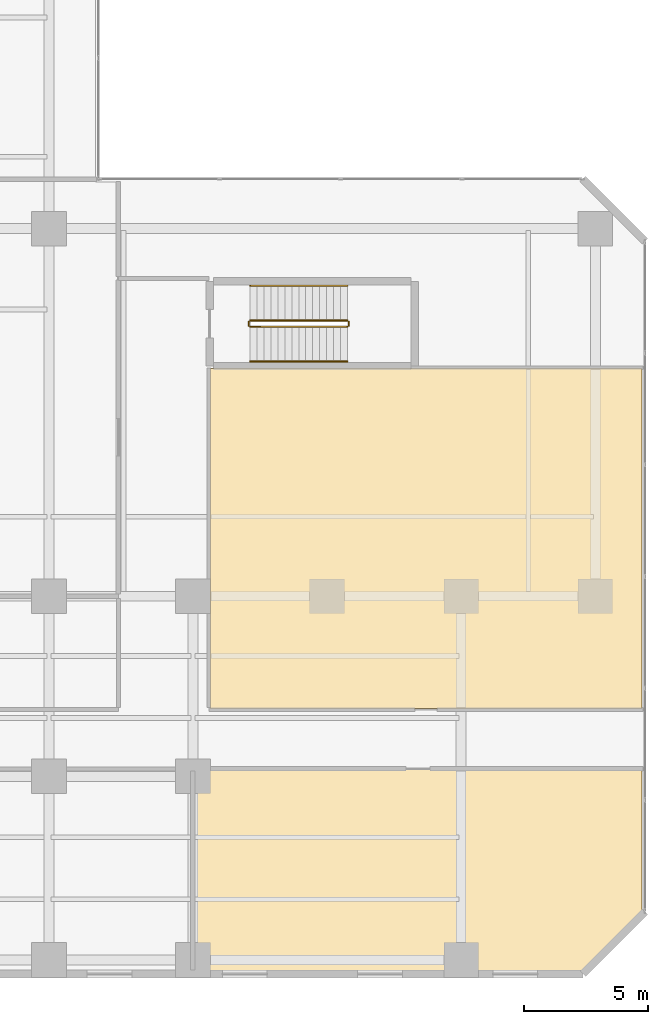
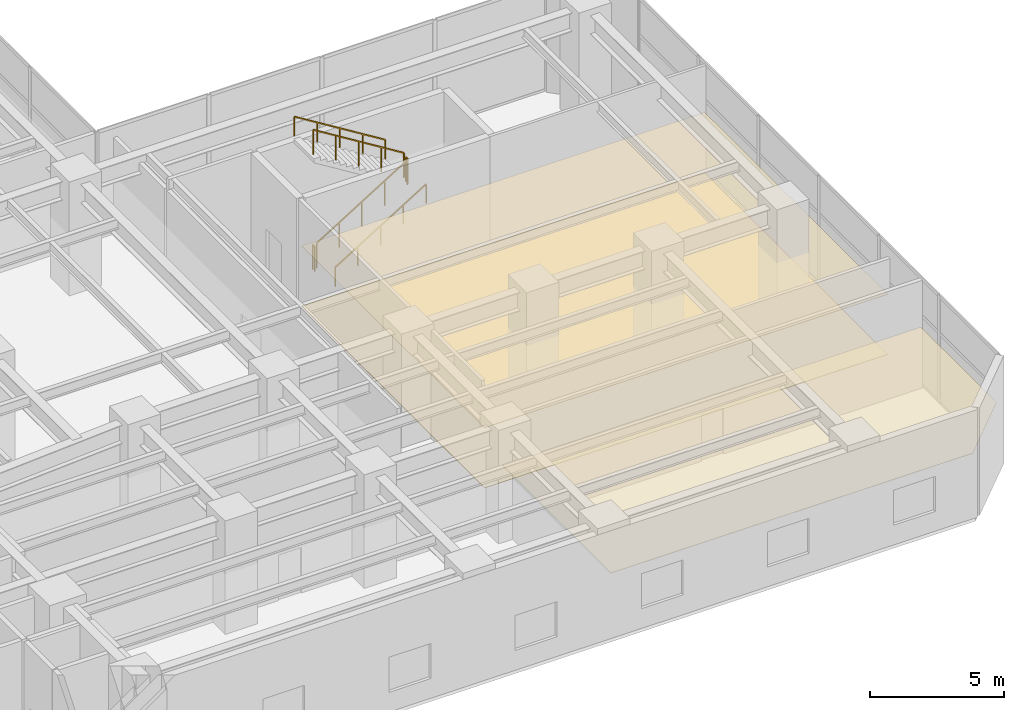
# One storey, part 20 of 22: 6 railings, 3 coverings.
"""IFC4 building model written with IfcOpenShell, lengths in metres."""

from ifc_helpers import new_model, si_unit, direction, frame, origin, origin_2d, place, context, subcontext, project, spatial, polyline, rectangle, outline, extrude, material, layer, layer_set, type_object, element, save


model = new_model("IFC4")

# Units and contexts
model_context = context("Model", 3, precision=1e-05, world=origin(), true_north=direction((0.0, 1.0)))
body_context = subcontext(model_context, "Body", "Model", "MODEL_VIEW")
ifc_project = project(units=[si_unit("LENGTHUNIT", "METRE"), si_unit("AREAUNIT", "SQUARE_METRE"), si_unit("VOLUMEUNIT", "CUBIC_METRE"), si_unit("PLANEANGLEUNIT", "RADIAN"), si_unit("MASSUNIT", "GRAM", prefix="KILO")], contexts=[model_context])

# Site, building, storey
site_placement = place(None, origin())
site = spatial("IfcSite", under=ifc_project, at=site_placement, CompositionType="ELEMENT")
building_placement = place(site_placement, origin())
building = spatial("IfcBuilding", under=site, at=building_placement, Name="Mawjaban Terraces University", CompositionType="ELEMENT")
storey_placement = place(building_placement, frame((0.0, 0.0, 10.39990234375)))
storey = spatial("IfcBuildingStorey", under=building, at=storey_placement, Name="L02", CompositionType="ELEMENT", Elevation=10.39990234375)

# Coverings
ifc_material_1 = material(Name="Acoustic mineral fibre ceiling tile", Category="masonry")
ifc_layer_1 = layer(ifc_material_1, 0.02001953125)
ifc_layer_set_1 = layer_set([ifc_layer_1], Name="Acoustic mineral fibre ceiling tile")
covering_type_1 = type_object("IfcCoveringType", Name="AcousticMineralCeiling_20", PredefinedType="CEILING", material=ifc_layer_set_1)
covering_1_placement = place(storey_placement, frame((0.0, 0.0, 2.75)))
element("IfcCovering", 1, at=covering_1_placement, inside=storey, type_object=covering_type_1, Name="L02 Podium Colloquium Hall Acoustic Ceiling", PredefinedType="CEILING", context=body_context, shape_type="SweptSolid", body=[
    extrude(outline(polyline([(75.885009765625, 10.679931640625), (75.885009765625, 24.3701171875), (58.47998046875, 24.3701171875), (58.47998046875, 10.679931640625), (75.885009765625, 10.679931640625)])), origin(), (0.0, 0.0, 1.0), 0.02001953125),
])
covering_2_placement = place(storey_placement, frame((0.0, 0.0, 2.75)))
element("IfcCovering", 2, at=covering_2_placement, inside=storey, type_object=covering_type_1, Name="L02 Instructional Media Studio Acoustic Ceiling", PredefinedType="CEILING", context=body_context, shape_type="SweptSolid", body=[
    extrude(outline(polyline([(57.830078125, 0.114990234375), (73.452880859375, 0.114990234375), (75.885009765625, 2.547119140625), (75.885009765625, 8.219970703125), (57.830078125, 8.219970703125), (57.830078125, 0.114990234375)])), origin(), (0.0, 0.0, 1.0), 0.02001953125),
])

# Railings
ifc_material_2 = material(Name="Brushed stainless steel 316", Category="steel")
railing_type_1 = type_object("IfcRailingType", Name="StairWallHandrail_900", PredefinedType="HANDRAIL", material=ifc_material_2)
railing_1_placement = place(storey_placement, frame((60.10009765625, 24.64990234375, 0.17333984375)))
element("IfcRailing", 3, at=railing_1_placement, inside=storey, type_object=railing_type_1, Name="L02 ST-5 stair handrail 1", PredefinedType="HANDRAIL", context=body_context, shape_type="SweptSolid", body=[
    extrude(rectangle(XDim=0.048095703125, YDim=0.048095703125, at=origin_2d()), frame((0.0, 0.0, 0.8759765625), z_axis=(0.850251603719, 0.0, 0.526376491091), x_axis=(0.0, 1.0, 0.0)), (0.0, 0.0, 1.0), 4.6103515625),
    extrude(rectangle(XDim=0.0419921875, YDim=0.0419921875, at=origin_2d()), origin(), (0.0, 0.0, 1.0), 0.851806640625),
    extrude(rectangle(XDim=0.0419921875, YDim=0.0419921875, at=origin_2d()), frame((0.97998046875, 0.0, 0.606689453125)), (0.0, 0.0, 1.0), 0.851806640625),
    extrude(rectangle(XDim=0.0419921875, YDim=0.0419921875, at=origin_2d()), frame((1.9599609375, 0.0, 1.21337890625)), (0.0, 0.0, 1.0), 0.851806640625),
    extrude(rectangle(XDim=0.0419921875, YDim=0.0419921875, at=origin_2d()), frame((2.93994140625, 0.0, 1.820068359375)), (0.0, 0.0, 1.0), 0.851806640625),
    extrude(rectangle(XDim=0.0419921875, YDim=0.0419921875, at=origin_2d()), frame((3.919921875, 0.0, 2.4267578125)), (0.0, 0.0, 1.0), 0.851806640625),
])
railing_2_placement = place(storey_placement, frame((64.02001953125, 27.699951171875, 2.7734375)))
element("IfcRailing", 4, at=railing_2_placement, inside=storey, type_object=railing_type_1, Name="L02 ST-5 stair handrail 2", PredefinedType="HANDRAIL", context=body_context, shape_type="SweptSolid", body=[
    extrude(rectangle(XDim=0.048095703125, YDim=0.048095703125, at=origin_2d()), frame((0.0, 0.0, 0.8759765625), z_axis=(-0.850251603719, 0.0, 0.526376491091), x_axis=(0.0, -1.0, 0.0)), (0.0, 0.0, 1.0), 4.6103515625),
    extrude(rectangle(XDim=0.0419921875, YDim=0.0419921875, at=origin_2d()), origin(), (0.0, 0.0, 1.0), 0.851806640625),
    extrude(rectangle(XDim=0.0419921875, YDim=0.0419921875, at=origin_2d()), frame((-0.97998046875, 0.0, 0.606689453125)), (0.0, 0.0, 1.0), 0.851806640625),
    extrude(rectangle(XDim=0.0419921875, YDim=0.0419921875, at=origin_2d()), frame((-1.9599609375, 0.0, 1.21337890625)), (0.0, 0.0, 1.0), 0.851806640625),
    extrude(rectangle(XDim=0.0419921875, YDim=0.0419921875, at=origin_2d()), frame((-2.93994140625, 0.0, 1.820068359375)), (0.0, 0.0, 1.0), 0.851806640625),
    extrude(rectangle(XDim=0.0419921875, YDim=0.0419921875, at=origin_2d()), frame((-3.919921875, 0.0, 2.4267578125)), (0.0, 0.0, 1.0), 0.851806640625),
])
ifc_material_3 = material(Name="Galvanised painted steel S355", Category="steel")
railing_type_2 = type_object("IfcRailingType", Name="StairWellGuard_1150", PredefinedType="BALUSTRADE", material=ifc_material_3)
railing_3_placement = place(storey_placement, frame((60.10009765625, 26.050048828125, 0.17333984375)))
element("IfcRailing", 5, at=railing_3_placement, inside=storey, type_object=railing_type_2, Name="L02 ST-5 stair guard 1", PredefinedType="BALUSTRADE", context=body_context, shape_type="SweptSolid", body=[
    extrude(rectangle(XDim=0.048095703125, YDim=0.048095703125, at=origin_2d()), frame((0.0, 0.0, 1.1259765625), z_axis=(0.850251603719, 0.0, 0.526376491091), x_axis=(0.0, 1.0, 0.0)), (0.0, 0.0, 1.0), 4.6103515625),
    extrude(rectangle(XDim=0.0419921875, YDim=0.0419921875, at=origin_2d()), origin(), (0.0, 0.0, 1.0), 1.101806640625),
    extrude(rectangle(XDim=0.0419921875, YDim=0.0419921875, at=origin_2d()), frame((0.97998046875, 0.0, 0.606689453125)), (0.0, 0.0, 1.0), 1.101806640625),
    extrude(rectangle(XDim=0.0419921875, YDim=0.0419921875, at=origin_2d()), frame((1.9599609375, 0.0, 1.21337890625)), (0.0, 0.0, 1.0), 1.101806640625),
    extrude(rectangle(XDim=0.0419921875, YDim=0.0419921875, at=origin_2d()), frame((2.93994140625, 0.0, 1.820068359375)), (0.0, 0.0, 1.0), 1.101806640625),
    extrude(rectangle(XDim=0.0419921875, YDim=0.0419921875, at=origin_2d()), frame((3.919921875, 0.0, 2.4267578125)), (0.0, 0.0, 1.0), 1.101806640625),
])
railing_4_placement = place(storey_placement, frame((64.070068359375, 26.10009765625, 2.60009765625)))
element("IfcRailing", 6, at=railing_4_placement, inside=storey, type_object=railing_type_2, Name="L02 ST-5 stair guard 2", PredefinedType="BALUSTRADE", context=body_context, shape_type="SweptSolid", body=[
    extrude(rectangle(XDim=0.048095703125, YDim=0.048095703125, at=origin_2d()), frame((0.0, 0.0, 1.1259765625), z_axis=(0.0, 1.0, 0.0), x_axis=(-1.0, 0.0, 0.0)), (0.0, 0.0, 1.0), 0.14990234375),
    extrude(rectangle(XDim=0.0419921875, YDim=0.0419921875, at=origin_2d()), origin(), (0.0, 0.0, 1.0), 1.101806640625),
    extrude(rectangle(XDim=0.0419921875, YDim=0.0419921875, at=origin_2d()), frame((0.0, 0.14990234375, 0.0)), (0.0, 0.0, 1.0), 1.101806640625),
])
railing_5_placement = place(storey_placement, frame((64.02001953125, 26.300048828125, 2.7734375)))
element("IfcRailing", 7, at=railing_5_placement, inside=storey, type_object=railing_type_2, Name="L02 ST-5 stair guard 3", PredefinedType="BALUSTRADE", context=body_context, shape_type="SweptSolid", body=[
    extrude(rectangle(XDim=0.048095703125, YDim=0.048095703125, at=origin_2d()), frame((0.0, 0.0, 1.1259765625), z_axis=(-0.850251603719, 0.0, 0.526376491091), x_axis=(0.0, -1.0, 0.0)), (0.0, 0.0, 1.0), 4.6103515625),
    extrude(rectangle(XDim=0.0419921875, YDim=0.0419921875, at=origin_2d()), origin(), (0.0, 0.0, 1.0), 1.101806640625),
    extrude(rectangle(XDim=0.0419921875, YDim=0.0419921875, at=origin_2d()), frame((-0.97998046875, 0.0, 0.606689453125)), (0.0, 0.0, 1.0), 1.101806640625),
    extrude(rectangle(XDim=0.0419921875, YDim=0.0419921875, at=origin_2d()), frame((-1.9599609375, 0.0, 1.21337890625)), (0.0, 0.0, 1.0), 1.101806640625),
    extrude(rectangle(XDim=0.0419921875, YDim=0.0419921875, at=origin_2d()), frame((-2.93994140625, 0.0, 1.820068359375)), (0.0, 0.0, 1.0), 1.101806640625),
    extrude(rectangle(XDim=0.0419921875, YDim=0.0419921875, at=origin_2d()), frame((-3.919921875, 0.0, 2.4267578125)), (0.0, 0.0, 1.0), 1.101806640625),
])
railing_6_placement = place(storey_placement, frame((60.050048828125, 26.10009765625, 0.0)))
element("IfcRailing", 8, at=railing_6_placement, inside=storey, type_object=railing_type_2, Name="L02 ST-5 stair guard 4", PredefinedType="BALUSTRADE", context=body_context, shape_type="SweptSolid", body=[
    extrude(rectangle(XDim=0.048095703125, YDim=0.048095703125, at=origin_2d()), frame((0.0, 0.0, 1.1259765625), z_axis=(0.0, 1.0, 0.0), x_axis=(-1.0, 0.0, 0.0)), (0.0, 0.0, 1.0), 0.14990234375),
    extrude(rectangle(XDim=0.0419921875, YDim=0.0419921875, at=origin_2d()), origin(), (0.0, 0.0, 1.0), 1.101806640625),
    extrude(rectangle(XDim=0.0419921875, YDim=0.0419921875, at=origin_2d()), frame((0.0, 0.14990234375, 0.0)), (0.0, 0.0, 1.0), 1.101806640625),
])

# Covering
ifc_material_4 = material(Name="Polished Hijazi granite terrazzo flooring", Category="masonry")
ifc_layer_2 = layer(ifc_material_4, 0.02490234375)
ifc_layer_set_2 = layer_set([ifc_layer_2], Name="Polished Hijazi granite terrazzo flooring")
covering_type_2 = type_object("IfcCoveringType", Name="TerrazzoConcourseFlooring_25", PredefinedType="FLOORING", material=ifc_layer_set_2)
covering_3_placement = place(storey_placement, origin())
element("IfcCovering", 9, at=covering_3_placement, inside=storey, type_object=covering_type_2, Name="L02 Podium Colloquium Hall Terrazzo Flooring", PredefinedType="FLOORING", context=body_context, shape_type="SweptSolid", body=[
    extrude(outline(polyline([(75.885009765625, 10.679931640625), (75.885009765625, 24.3701171875), (58.47998046875, 24.3701171875), (58.47998046875, 10.679931640625), (75.885009765625, 10.679931640625)])), origin(), (0.0, 0.0, 1.0), 0.025146484375),
])

save(model, "model.ifc")
